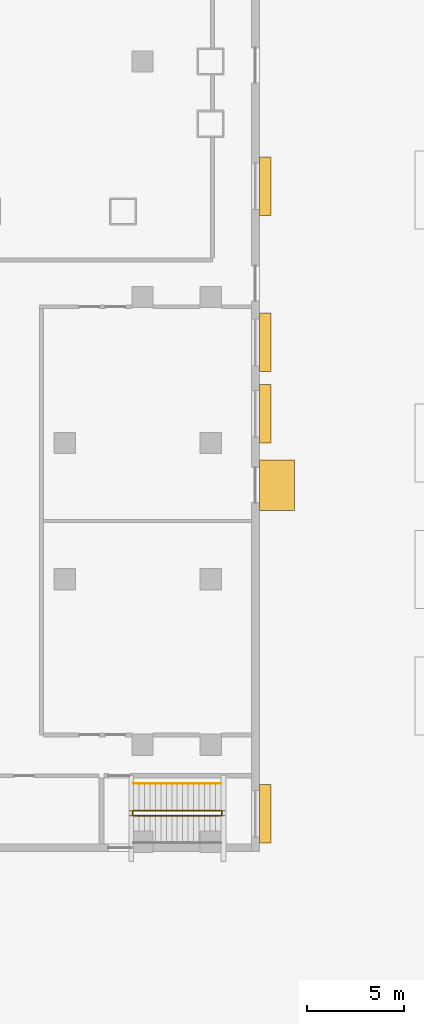
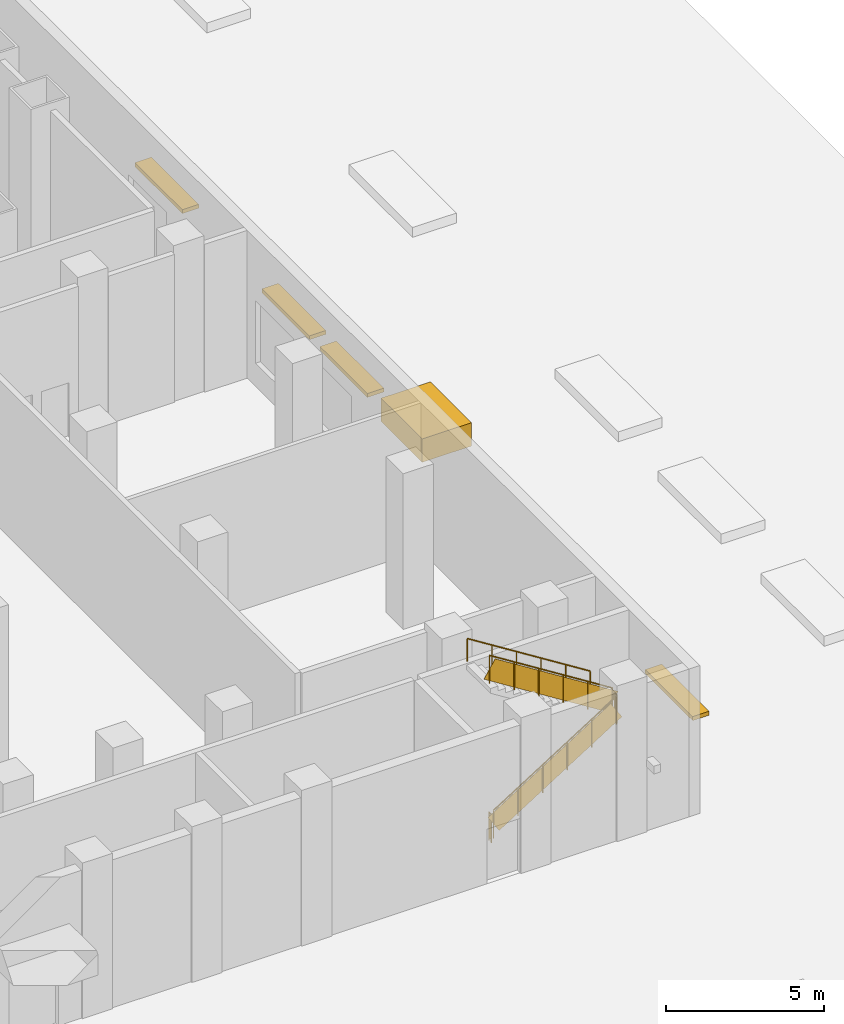
# One storey, part 14 of 18: 5 railings, 5 shading devices.
"""IFC4 building model written with IfcOpenShell, lengths in metres."""

import ifcopenshell
import ifcopenshell.guid

model = None  # the IFC model being written
_history = None  # IfcOwnerHistory: only IFC2X3 demands one
_inside = {}  # id of a spatial element -> (the spatial element, [elements in it])
_under = {}  # id of a project, library or spatial element -> (it, [spatial elements below it])
_declared = {}  # id of a project -> (the project, [libraries it declares])
_typed = {}  # id of a type object -> (the type object, [elements of that type])
_made_of = {}  # id of a material, layer set ... -> (it, [elements and type objects made of it])


def new_model(schema):
    """Start an empty IFC model of exactly this schema.

    Asked for "IFC4X3", IfcOpenShell would pick the latest addendum, in which some entities
    have other attributes; the version numbers below select the first issue.
    IFC2X3 requires an IfcOwnerHistory on every rooted entity: one is made here for all.
    """
    global model, _history
    if schema == "IFC4X3":
        model = ifcopenshell.file(schema_version=(4, 3, 0, 0))
    else:
        model = ifcopenshell.file(schema=schema)
    _inside.clear()
    _under.clear()
    _declared.clear()
    _typed.clear()
    _made_of.clear()
    _history = None
    if model.schema == "IFC2X3":
        org = make("IfcOrganization", Name="unknown")
        user = make(
            "IfcPersonAndOrganization",
            ThePerson=make("IfcPerson", FamilyName="unknown"),
            TheOrganization=org,
        )
        app = make(
            "IfcApplication",
            ApplicationDeveloper=org,
            Version="unknown",
            ApplicationFullName="unknown",
            ApplicationIdentifier="unknown",
        )
        _history = make(
            "IfcOwnerHistory",
            OwningUser=user,
            OwningApplication=app,
            ChangeAction="ADDED",
            CreationDate=0,
        )
    return model


def make(cls, **values):
    """One entity of the class cls with the attributes given. An attribute that is None is left unset."""
    return model.create_entity(
        cls, **{name: value for name, value in values.items() if value is not None}
    )


def rooted(cls, **values):
    """An entity with a GlobalId (a new one), such as an element, a storey or a relation."""
    return make(cls, GlobalId=ifcopenshell.guid.new(), OwnerHistory=_history, **values)


def si_unit(unit_type, name, prefix=None):
    """IfcSIUnit, for example si_unit("LENGTHUNIT", "METRE", prefix="MILLI")."""
    return make("IfcSIUnit", UnitType=unit_type, Prefix=prefix, Name=name)


def assignment(units):
    """IfcUnitAssignment: the units of a project."""
    return None if units is None else make("IfcUnitAssignment", Units=units)


def point(xyz):
    """IfcCartesianPoint."""
    return None if xyz is None else make("IfcCartesianPoint", Coordinates=xyz)


def direction(xyz):
    """IfcDirection."""
    return None if xyz is None else make("IfcDirection", DirectionRatios=xyz)


def frame(location, z_axis=None, x_axis=None):
    """IfcAxis2Placement3D, a coordinate frame: its origin and axes. An axis left out is left unset."""
    return make(
        "IfcAxis2Placement3D",
        Location=point(location),
        Axis=direction(z_axis),
        RefDirection=direction(x_axis),
    )


def frame_2d(location, x_axis=None):
    """IfcAxis2Placement2D, a coordinate frame in the plane: its origin and x axis."""
    return make(
        "IfcAxis2Placement2D", Location=point(location), RefDirection=direction(x_axis)
    )


def origin():
    """The frame at (0, 0, 0) with its axes left unset."""
    return frame((0.0, 0.0, 0.0))


def origin_2d():
    """The frame at (0, 0) in the plane with its x axis left unset."""
    return frame_2d((0.0, 0.0))


def place(relative_to, where):
    """IfcLocalPlacement: puts the frame where relative to a parent placement (None: the world)."""
    return make(
        "IfcLocalPlacement", PlacementRelTo=relative_to, RelativePlacement=where
    )


def context(
    kind, dimensions, precision=None, world=None, true_north=None, identifier=None
):
    """IfcGeometricRepresentationContext, for example the 3D "Model" context."""
    return make(
        "IfcGeometricRepresentationContext",
        ContextIdentifier=identifier,
        ContextType=kind,
        CoordinateSpaceDimension=dimensions,
        Precision=precision,
        WorldCoordinateSystem=world,
        TrueNorth=true_north,
    )


def subcontext(parent, identifier, kind, view, scale=None):
    """IfcGeometricRepresentationSubContext, for example "Body" below "Model"."""
    return make(
        "IfcGeometricRepresentationSubContext",
        ContextIdentifier=identifier,
        ContextType=kind,
        ParentContext=parent,
        TargetScale=scale,
        TargetView=view,
    )


def project(units=None, contexts=None):
    """IfcProject with its units and contexts."""
    return rooted(
        "IfcProject",
        Name="project",
        RepresentationContexts=contexts,
        UnitsInContext=assignment(units),
    )


def spatial(cls, under=None, at=None, **own):
    """A site, building, storey or space (cls), placed at a placement, below another one or the project."""
    s = rooted(cls, ObjectPlacement=at, **own)
    if under is not None:
        _under.setdefault(under.id(), (under, []))[1].append(s)
    return s


def profile(cls, at=None, kind="AREA", **sizes):
    """A parametric profile (cls). Its sizes go by their IFC names, for example OverallWidth=200.0."""
    return make(cls, ProfileType=kind, Position=at, **sizes)


def rectangle(**sizes):
    """IfcRectangleProfileDef."""
    return profile("IfcRectangleProfileDef", **sizes)


def circle(**sizes):
    """IfcCircleProfileDef."""
    return profile("IfcCircleProfileDef", **sizes)


def extrude(swept, where, along, depth):
    """IfcExtrudedAreaSolid: the profile swept, set in the frame where, extruded along a direction by depth."""
    return make(
        "IfcExtrudedAreaSolid",
        SweptArea=swept,
        Position=where,
        ExtrudedDirection=direction(along),
        Depth=depth,
    )


def shape(context_of_items, identifier, shape_type, items):
    """IfcShapeRepresentation: the items that make up one representation, for example the "Body"."""
    return make(
        "IfcShapeRepresentation",
        ContextOfItems=context_of_items,
        RepresentationIdentifier=identifier,
        RepresentationType=shape_type,
        Items=items,
    )


def material(Name=None, Category=None):
    """IfcMaterial."""
    return make("IfcMaterial", Name=Name, Category=Category)


def layer(
    of_material, thickness, ventilated=None, Name=None, Category=None, Priority=None
):
    """IfcMaterialLayer: one layer of a wall or slab, of a material (None: an air gap)."""
    return make(
        "IfcMaterialLayer",
        Material=of_material,
        LayerThickness=thickness,
        IsVentilated=ventilated,
        Name=Name,
        Category=Category,
        Priority=Priority,
    )


def layer_set(layers, Name=None):
    """IfcMaterialLayerSet."""
    return make("IfcMaterialLayerSet", MaterialLayers=layers, LayerSetName=Name)


def made_of(thing, what):
    """Note that an element or type object is made of a material, layer set ...; save() writes the relation."""
    if what is not None:
        _made_of.setdefault(what.id(), (what, []))[1].append(thing)
    return thing


def type_object(cls, material=None, **own):
    """A type object (cls), such as IfcWallType, which elements share."""
    return made_of(rooted(cls, **own), material)


def element(
    cls,
    number,
    at=None,
    inside=None,
    cuts=None,
    type_object=None,
    material=None,
    context=None,
    identifier="Body",
    shape_type=None,
    held_by="IfcProductDefinitionShape",
    body=None,
    shapes=None,
    **own,
):
    """One element of the class cls, such as IfcWall. Its Tag is "e" and its number.

    at: its placement. inside: the storey or other place that contains it. cuts: it is an
    opening in that element (IfcRelVoidsElement). A single representation is given by context,
    identifier, shape_type and body (its items); several are given by shapes. held_by: the class
    of the entity that holds the representations. save() writes the other relations.
    """
    e = rooted(cls, Tag="e%d" % number, ObjectPlacement=at, **own)
    if body is not None:
        shapes = [shape(context, identifier, shape_type, body)]
    if shapes is not None:
        e.Representation = make(held_by, Representations=shapes)
    if inside is not None:
        _inside.setdefault(inside.id(), (inside, []))[1].append(e)
    if cuts is not None:
        rooted(
            "IfcRelVoidsElement", RelatingBuildingElement=cuts, RelatedOpeningElement=e
        )
    if type_object is not None:
        _typed.setdefault(type_object.id(), (type_object, []))[1].append(e)
    return made_of(e, material)


def aggregate(whole, parts):
    """IfcRelAggregates: a whole, such as a stair, and the parts it consists of."""
    return rooted("IfcRelAggregates", RelatingObject=whole, RelatedObjects=parts)


def save(model, path):
    """Write the relations noted so far, then the file.

    IfcRelAggregates (storeys below a building ...), IfcRelContainedInSpatialStructure (elements
    in a storey), IfcRelDefinesByType, IfcRelAssociatesMaterial and IfcRelDeclares: one each for
    every whole, place, type object, material and project.
    """
    for whole, parts in _under.values():
        aggregate(whole, parts)
    for where, things in _inside.values():
        rooted(
            "IfcRelContainedInSpatialStructure",
            RelatedElements=things,
            RelatingStructure=where,
        )
    for kind, things in _typed.values():
        rooted("IfcRelDefinesByType", RelatedObjects=things, RelatingType=kind)
    for what, things in _made_of.values():
        rooted("IfcRelAssociatesMaterial", RelatedObjects=things, RelatingMaterial=what)
    for by, libraries in _declared.values():
        rooted("IfcRelDeclares", RelatingContext=by, RelatedDefinitions=libraries)
    model.write(path)


model = new_model("IFC4")

# Units and contexts
model_context = context("Model", 3, precision=1e-05, world=origin(), true_north=direction((0.0, 1.0)))
body_context = subcontext(model_context, "Body", "Model", "MODEL_VIEW")
ifc_project = project(units=[si_unit("LENGTHUNIT", "METRE"), si_unit("AREAUNIT", "SQUARE_METRE"), si_unit("VOLUMEUNIT", "CUBIC_METRE"), si_unit("PLANEANGLEUNIT", "RADIAN"), si_unit("MASSUNIT", "GRAM", prefix="KILO")], contexts=[model_context])

# Site, building, storey
site_placement = place(None, origin())
site = spatial("IfcSite", under=ifc_project, at=site_placement, CompositionType="ELEMENT")
building_placement = place(site_placement, origin())
building = spatial("IfcBuilding", under=site, at=building_placement, Name="Vidyagriha Tower", CompositionType="ELEMENT")
storey_placement = place(building_placement, origin())
storey = spatial("IfcBuildingStorey", under=building, at=storey_placement, Name="L00", CompositionType="ELEMENT", Elevation=0.0)

# Shading devices
ifc_material_1 = material(Name="Precast concrete C40/50 with brick facing", Category="concrete")
ifc_layer_1 = layer(ifc_material_1, 0.14990234375)
ifc_layer_set_1 = layer_set([ifc_layer_1], Name="Precast concrete C40/50 with brick facing")
shading_device_type_1 = type_object("IfcShadingDeviceType", Name="Brick chhajja window hood", PredefinedType="AWNING", material=ifc_layer_set_1)
for number, where, z_axis, x_axis, name in (
    (1, (40.300048828125, -48.050048828125, 3.300048828125), (0.0, 0.0, 1.0), (0.0, 1.0, 0.0), "Window hood L00 R01.1"),
    (2, (40.300048828125, -27.5, 3.300048828125), (0.0, 0.0, 1.0), (0.0, 1.0, 0.0), "Window hood L00 R01.8"),
    (3, (40.300048828125, -23.833251953125, 3.300048828125), (0.0, 0.0, 1.0), (0.0, 1.0, 0.0), "Window hood L00 R01.9"),
    (4, (40.300048828125, -15.8125, 3.300048828125), (0.0, 0.0, 1.0), (0.0, 1.0, 0.0), "Window hood L00 R01.11"),
):
    element("IfcShadingDevice", number, at=place(storey_placement, frame(where, z_axis=z_axis, x_axis=x_axis)), inside=storey, type_object=shading_device_type_1, Name=name, PredefinedType="AWNING", context=body_context, shape_type="SweptSolid", body=[
        extrude(rectangle(XDim=3.0, YDim=0.60009765625, at=origin_2d()), origin(), (0.0, 0.0, 1.0), 0.14990234375),
    ])
ifc_material_2 = material(Name="Precast concrete C40/50 with brick facing", Category="concrete")
ifc_layer_2 = layer(ifc_material_2, 0.89990234375)
ifc_layer_set_2 = layer_set([ifc_layer_2], Name="Precast concrete C40/50 with brick facing")
shading_device_type_2 = type_object("IfcShadingDeviceType", Name="Brick-faced entrance portal hood", PredefinedType="USERDEFINED", material=ifc_layer_set_2)
shading_device_placement = place(storey_placement, frame((40.89990234375, -32.466796875, 2.89990234375), z_axis=(0.0, 0.0, 1.0), x_axis=(0.0, 1.0, 0.0)))
element("IfcShadingDevice", 5, at=shading_device_placement, inside=storey, type_object=shading_device_type_2, Name="Stair exit portal hood E6", ObjectType="PORTAL", PredefinedType="USERDEFINED", context=body_context, shape_type="SweptSolid", body=[
    extrude(rectangle(XDim=2.60009765625, YDim=1.800048828125, at=frame_2d((1.300048828125, 0.0))), origin(), (0.0, 0.0, 1.0), 0.900146484375),
])

# Railings
ifc_material_3 = material(Name="Powder coated ASTM A500 Grade C steel balustrade", Category="steel")
railing_type_1 = type_object("IfcRailingType", Name="Podium Stair Guard 1100", PredefinedType="GUARDRAIL", material=ifc_material_3)
railing_1_placement = place(storey_placement, frame((33.544921875, -48.14990234375, 0.176513671875)))
element("IfcRailing", 6, at=railing_1_placement, inside=storey, type_object=railing_type_1, Name="L00 PS2 stair guard 1", PredefinedType="GUARDRAIL", context=body_context, shape_type="SweptSolid", body=[
    extrude(circle(Radius=0.02392578125, at=origin_2d()), frame((0.0, 0.0, 1.076171875), z_axis=(0.845997938375, 0.0, 0.533186166611), x_axis=(0.0, 1.0, 0.0)), (0.0, 0.0, 1.0), 5.29541015625),
    extrude(circle(Radius=0.02099609375, at=origin_2d()), origin(), (0.0, 0.0, 1.0), 1.052001953125),
    extrude(circle(Radius=0.02099609375, at=origin_2d()), frame((0.89599609375, 0.0, 0.564697265625)), (0.0, 0.0, 1.0), 1.052001953125),
    extrude(circle(Radius=0.02099609375, at=origin_2d()), frame((1.7919921875, 0.0, 1.12939453125)), (0.0, 0.0, 1.0), 1.052001953125),
    extrude(circle(Radius=0.02099609375, at=origin_2d()), frame((2.68798828125, 0.0, 1.694091796875)), (0.0, 0.0, 1.0), 1.052001953125),
    extrude(circle(Radius=0.02099609375, at=origin_2d()), frame((3.583984375, 0.0, 2.2587890625)), (0.0, 0.0, 1.0), 1.052001953125),
    extrude(circle(Radius=0.02099609375, at=origin_2d()), frame((4.47998046875, 0.0, 2.823486328125)), (0.0, 0.0, 1.0), 1.052001953125),
    extrude(rectangle(XDim=0.010009765625, YDim=0.76318359375, at=origin_2d()), frame((0.0, 0.0, 0.551025390625), z_axis=(0.845997938375, 0.0, 0.533186166611), x_axis=(0.0, 1.0, 0.0)), (0.0, 0.0, 1.0), 5.29541015625),
])
railing_2_placement = place(storey_placement, frame((38.074951171875, -48.10009765625, 3.0)))
element("IfcRailing", 7, at=railing_2_placement, inside=storey, type_object=railing_type_1, Name="L00 PS2 stair guard 2", PredefinedType="GUARDRAIL", context=body_context, shape_type="SweptSolid", body=[
    extrude(circle(Radius=0.02392578125, at=origin_2d()), frame((0.0, 0.0, 1.076171875), z_axis=(0.0, 1.0, 0.0), x_axis=(-1.0, 0.0, 0.0)), (0.0, 0.0, 1.0), 0.150146484375),
    extrude(circle(Radius=0.02099609375, at=origin_2d()), origin(), (0.0, 0.0, 1.0), 1.052001953125),
    extrude(circle(Radius=0.02099609375, at=origin_2d()), frame((0.0, 0.150146484375, 0.0)), (0.0, 0.0, 1.0), 1.052001953125),
    extrude(rectangle(XDim=0.010009765625, YDim=0.902099609375, at=origin_2d()), frame((0.0, 0.0, 0.551025390625), z_axis=(0.0, 1.0, 0.0), x_axis=(-1.0, 0.0, 0.0)), (0.0, 0.0, 1.0), 0.150146484375),
])
railing_3_placement = place(storey_placement, frame((38.02490234375, -47.89990234375, 3.176513671875)))
element("IfcRailing", 8, at=railing_3_placement, inside=storey, type_object=railing_type_1, Name="L00 PS2 stair guard 3", PredefinedType="GUARDRAIL", context=body_context, shape_type="SweptSolid", body=[
    extrude(circle(Radius=0.02392578125, at=origin_2d()), frame((0.0, 0.0, 1.076171875), z_axis=(-0.845997938375, 0.0, 0.533186166611), x_axis=(0.0, -1.0, 0.0)), (0.0, 0.0, 1.0), 5.29541015625),
    extrude(circle(Radius=0.02099609375, at=origin_2d()), origin(), (0.0, 0.0, 1.0), 1.052001953125),
    extrude(circle(Radius=0.02099609375, at=origin_2d()), frame((-0.89599609375, 0.0, 0.564697265625)), (0.0, 0.0, 1.0), 1.052001953125),
    extrude(circle(Radius=0.02099609375, at=origin_2d()), frame((-1.7919921875, 0.0, 1.12939453125)), (0.0, 0.0, 1.0), 1.052001953125),
    extrude(circle(Radius=0.02099609375, at=origin_2d()), frame((-2.68798828125, 0.0, 1.694091796875)), (0.0, 0.0, 1.0), 1.052001953125),
    extrude(circle(Radius=0.02099609375, at=origin_2d()), frame((-3.583984375, 0.0, 2.2587890625)), (0.0, 0.0, 1.0), 1.052001953125),
    extrude(circle(Radius=0.02099609375, at=origin_2d()), frame((-4.47998046875, 0.0, 2.823486328125)), (0.0, 0.0, 1.0), 1.052001953125),
    extrude(rectangle(XDim=0.010009765625, YDim=0.76318359375, at=origin_2d()), frame((0.0, 0.0, 0.551025390625), z_axis=(-0.845997938375, 0.0, 0.533186166611), x_axis=(0.0, -1.0, 0.0)), (0.0, 0.0, 1.0), 5.29541015625),
])
railing_4_placement = place(storey_placement, frame((33.4951171875, -48.10009765625, 0.0)))
element("IfcRailing", 9, at=railing_4_placement, inside=storey, type_object=railing_type_1, Name="L00 PS2 stair guard 4", PredefinedType="GUARDRAIL", context=body_context, shape_type="SweptSolid", body=[
    extrude(circle(Radius=0.02392578125, at=origin_2d()), frame((0.0, 0.0, 1.076171875), z_axis=(0.0, 1.0, 0.0), x_axis=(-1.0, 0.0, 0.0)), (0.0, 0.0, 1.0), 0.150146484375),
    extrude(circle(Radius=0.02099609375, at=origin_2d()), origin(), (0.0, 0.0, 1.0), 1.052001953125),
    extrude(circle(Radius=0.02099609375, at=origin_2d()), frame((0.0, 0.150146484375, 0.0)), (0.0, 0.0, 1.0), 1.052001953125),
    extrude(rectangle(XDim=0.010009765625, YDim=0.902099609375, at=origin_2d()), frame((0.0, 0.0, 0.551025390625), z_axis=(0.0, 1.0, 0.0), x_axis=(-1.0, 0.0, 0.0)), (0.0, 0.0, 1.0), 0.150146484375),
])
ifc_material_4 = material(Name="Powder coated ASTM A500 Grade C steel handrail", Category="steel")
railing_type_2 = type_object("IfcRailingType", Name="Podium Stair Handrail 900", PredefinedType="HANDRAIL", material=ifc_material_4)
railing_5_placement = place(storey_placement, frame((38.02490234375, -46.5, 3.176513671875)))
element("IfcRailing", 10, at=railing_5_placement, inside=storey, type_object=railing_type_2, Name="L00 PS2 stair handrail 2", PredefinedType="HANDRAIL", context=body_context, shape_type="SweptSolid", body=[
    extrude(circle(Radius=0.02392578125, at=origin_2d()), frame((0.0, 0.0, 0.8759765625), z_axis=(-0.845997938375, 0.0, 0.533186166611), x_axis=(0.0, -1.0, 0.0)), (0.0, 0.0, 1.0), 5.29541015625),
    extrude(circle(Radius=0.02099609375, at=origin_2d()), origin(), (0.0, 0.0, 1.0), 0.851806640625),
    extrude(circle(Radius=0.02099609375, at=origin_2d()), frame((-0.89599609375, 0.0, 0.564697265625)), (0.0, 0.0, 1.0), 0.851806640625),
    extrude(circle(Radius=0.02099609375, at=origin_2d()), frame((-1.7919921875, 0.0, 1.12939453125)), (0.0, 0.0, 1.0), 0.851806640625),
    extrude(circle(Radius=0.02099609375, at=origin_2d()), frame((-2.68798828125, 0.0, 1.694091796875)), (0.0, 0.0, 1.0), 0.851806640625),
    extrude(circle(Radius=0.02099609375, at=origin_2d()), frame((-3.583984375, 0.0, 2.2587890625)), (0.0, 0.0, 1.0), 0.851806640625),
    extrude(circle(Radius=0.02099609375, at=origin_2d()), frame((-4.47998046875, 0.0, 2.823486328125)), (0.0, 0.0, 1.0), 0.851806640625),
])

save(model, "model.ifc")
